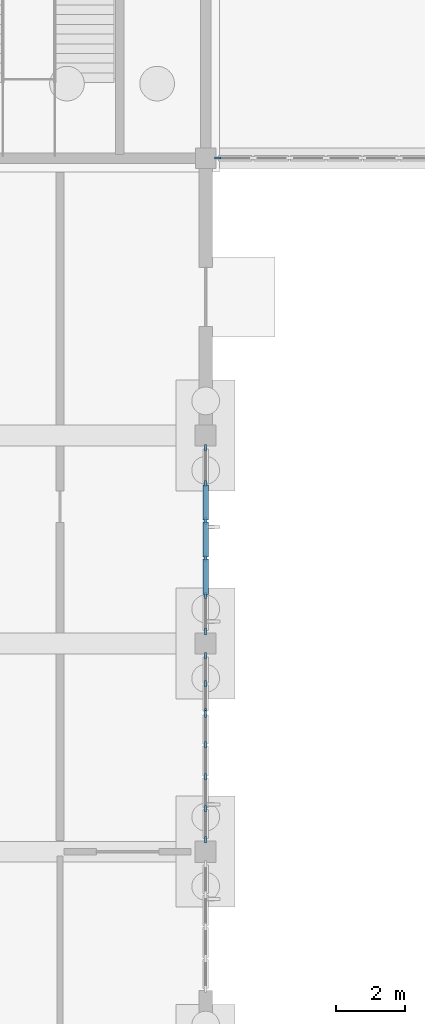
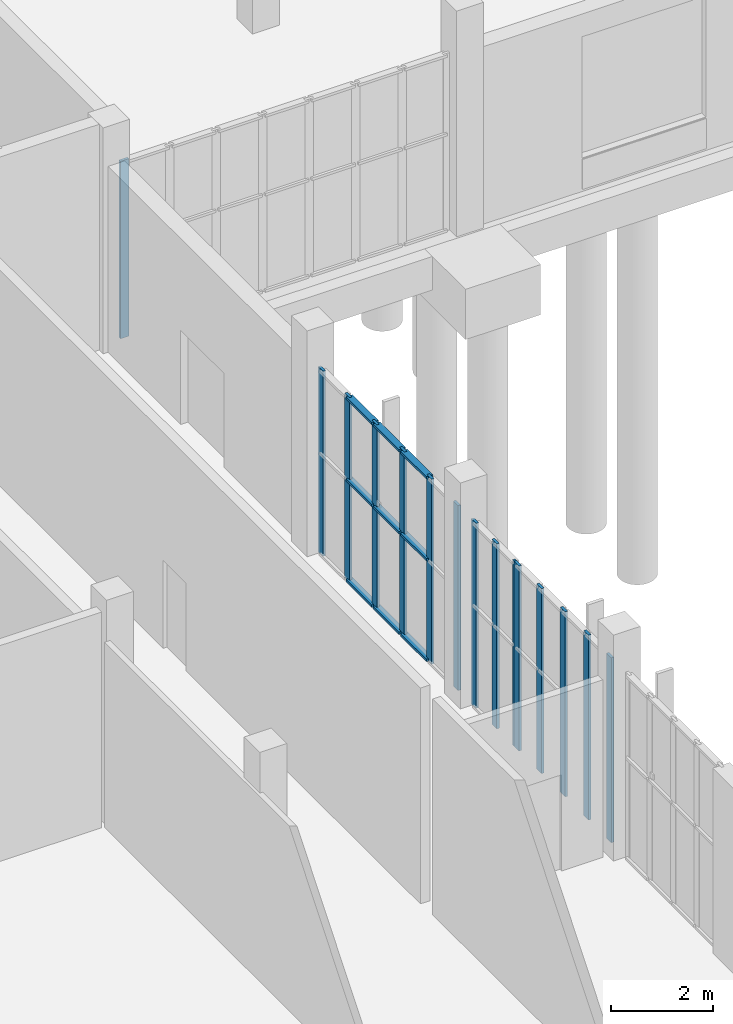
# One storey, part 15 of 69: 24 members, 4 elements without a shape of their own.
"""IFC4 building model written with IfcOpenShell, lengths in metres."""

from ifc_helpers import new_model, si_unit, direction, frame, origin, origin_2d, place, context, subcontext, project, spatial, rectangle, extrude, material, layer, layer_set, material_profile, profile_set, type_object, element, aggregate, save


model = new_model("IFC4")

# Units and contexts
model_context = context("Model", 3, precision=1e-05, world=origin(), true_north=direction((0.0, 1.0)))
body_context = subcontext(model_context, "Body", "Model", "MODEL_VIEW")
ifc_project = project(units=[si_unit("LENGTHUNIT", "METRE"), si_unit("AREAUNIT", "SQUARE_METRE"), si_unit("VOLUMEUNIT", "CUBIC_METRE"), si_unit("PLANEANGLEUNIT", "RADIAN"), si_unit("MASSUNIT", "GRAM", prefix="KILO")], contexts=[model_context])

# Site, building, storey
site_placement = place(None, origin())
site = spatial("IfcSite", under=ifc_project, at=site_placement, CompositionType="ELEMENT")
building_placement = place(site_placement, origin())
building = spatial("IfcBuilding", under=site, at=building_placement, Name="Solvane Community Centre", CompositionType="ELEMENT")
storey_placement = place(building_placement, origin())
storey = spatial("IfcBuildingStorey", under=building, at=storey_placement, Name="L00", CompositionType="ELEMENT", Elevation=0.0)

# Curtain wall, member
ifc_material = material(Name="Anodised bronze aluminium AW-6063 T6", Category="aluminium")
ifc_layer_1 = layer(ifc_material, 0.18994140625)
ifc_layer_set_1 = layer_set([ifc_layer_1], Name="Anodised bronze aluminium AW-6063 T6")
curtain_wall_type_1 = type_object("IfcCurtainWallType", Name="Boulevard Bronze Vision Curtain Wall [74x42dm]", PredefinedType="NOTDEFINED", material=ifc_layer_set_1)
curtain_wall_1_placement = place(storey_placement, origin())
curtain_wall_1 = element("IfcCurtainWall", 1, at=curtain_wall_1_placement, inside=storey, type_object=curtain_wall_type_1, Name="Curtain Wall CW-L00-757_860-014", PredefinedType="NOTDEFINED")
ifc_material_profile_1 = material_profile(ifc_material, rectangle(XDim=0.06005859375, YDim=0.18994140625, at=origin_2d()), Name="CW-M 60x190")
ifc_profile_set_1 = profile_set([ifc_material_profile_1], Name="Anodised bronze aluminium AW-6063 T6")
member_type_1 = type_object("IfcMemberType", Name="Boulevard Mullion 60x190", PredefinedType="MULLION", material=ifc_profile_set_1)
member_1_placement = place(storey_placement, frame((68.344970703125, 86.0, 0.0), z_axis=(0.0, 0.0, 1.0), x_axis=(0.0, -1.0, 0.0)))
member_1 = element("IfcMember", 2, at=member_1_placement, type_object=member_type_1, Name="CW02-74x42 mullion 8", PredefinedType="MULLION", context=body_context, shape_type="SweptSolid", body=[
    extrude(rectangle(XDim=0.06005859375, YDim=0.18994140625, at=origin_2d()), origin(), (0.0, 0.0, 1.0), 4.2451171875),
])
aggregate(curtain_wall_1, [member_1])

# Curtain wall, members
ifc_layer_2 = layer(ifc_material, 0.18994140625)
ifc_layer_set_2 = layer_set([ifc_layer_2], Name="Anodised bronze aluminium AW-6063 T6")
curtain_wall_type_2 = type_object("IfcCurtainWallType", Name="Boulevard Bronze Vision Curtain Wall [54x44dm]", PredefinedType="NOTDEFINED", material=ifc_layer_set_2)
curtain_wall_2_placement = place(storey_placement, origin())
curtain_wall_2 = element("IfcCurtainWall", 3, at=curtain_wall_2_placement, inside=storey, type_object=curtain_wall_type_2, Name="Curtain Wall CW-L00-680_777-015", PredefinedType="NOTDEFINED")
member_2_placement = place(storey_placement, frame((68.0, 77.64990234375, 0.0), z_axis=(0.0, 0.0, 1.0), x_axis=(1.0, 0.0, 0.0)))
member_2 = element("IfcMember", 4, at=member_2_placement, type_object=member_type_1, Name="CW02-54x44 mullion 1", PredefinedType="MULLION", context=body_context, shape_type="SweptSolid", body=[
    extrude(rectangle(XDim=0.06005859375, YDim=0.18994140625, at=origin_2d()), origin(), (0.0, 0.0, 1.0), 4.425048828125),
])
member_3_placement = place(storey_placement, frame((68.0, 76.60791015625, 0.0), z_axis=(0.0, 0.0, 1.0), x_axis=(1.0, 0.0, 0.0)))
member_3 = element("IfcMember", 5, at=member_3_placement, type_object=member_type_1, Name="CW02-54x44 mullion 2", PredefinedType="MULLION", context=body_context, shape_type="SweptSolid", body=[
    extrude(rectangle(XDim=0.06005859375, YDim=0.18994140625, at=origin_2d()), origin(), (0.0, 0.0, 1.0), 4.425048828125),
])
member_4_placement = place(storey_placement, frame((68.0, 75.535888671875, 0.0), z_axis=(0.0, 0.0, 1.0), x_axis=(1.0, 0.0, 0.0)))
member_4 = element("IfcMember", 6, at=member_4_placement, type_object=member_type_1, Name="CW02-54x44 mullion 3", PredefinedType="MULLION", context=body_context, shape_type="SweptSolid", body=[
    extrude(rectangle(XDim=0.06005859375, YDim=0.18994140625, at=origin_2d()), origin(), (0.0, 0.0, 1.0), 4.425048828125),
])
member_5_placement = place(storey_placement, frame((68.0, 74.464111328125, 0.0), z_axis=(0.0, 0.0, 1.0), x_axis=(1.0, 0.0, 0.0)))
member_5 = element("IfcMember", 7, at=member_5_placement, type_object=member_type_1, Name="CW02-54x44 mullion 4", PredefinedType="MULLION", context=body_context, shape_type="SweptSolid", body=[
    extrude(rectangle(XDim=0.06005859375, YDim=0.18994140625, at=origin_2d()), origin(), (0.0, 0.0, 1.0), 4.425048828125),
])
member_6_placement = place(storey_placement, frame((68.0, 73.39208984375, 0.0), z_axis=(0.0, 0.0, 1.0), x_axis=(1.0, 0.0, 0.0)))
member_6 = element("IfcMember", 8, at=member_6_placement, type_object=member_type_1, Name="CW02-54x44 mullion 5", PredefinedType="MULLION", context=body_context, shape_type="SweptSolid", body=[
    extrude(rectangle(XDim=0.06005859375, YDim=0.18994140625, at=origin_2d()), origin(), (0.0, 0.0, 1.0), 4.425048828125),
])
member_7_placement = place(storey_placement, frame((68.0, 72.35009765625, 0.0), z_axis=(0.0, 0.0, 1.0), x_axis=(1.0, 0.0, 0.0)))
member_7 = element("IfcMember", 9, at=member_7_placement, type_object=member_type_1, Name="CW02-54x44 mullion 6", PredefinedType="MULLION", context=body_context, shape_type="SweptSolid", body=[
    extrude(rectangle(XDim=0.06005859375, YDim=0.18994140625, at=origin_2d()), origin(), (0.0, 0.0, 1.0), 4.425048828125),
])

ifc_layer_3 = layer(ifc_material, 0.18994140625)
ifc_layer_set_3 = layer_set([ifc_layer_3], Name="Anodised bronze aluminium AW-6063 T6")
curtain_wall_type_3 = type_object("IfcCurtainWallType", Name="Boulevard Bronze Vision Curtain Wall [17x44dm]", PredefinedType="NOTDEFINED", material=ifc_layer_set_3)
curtain_wall_3_placement = place(storey_placement, origin())
curtain_wall_3 = element("IfcCurtainWall", 10, at=curtain_wall_3_placement, inside=storey, type_object=curtain_wall_type_3, Name="Curtain Wall CW-L00-680_717-016", PredefinedType="NOTDEFINED")
member_8_placement = place(storey_placement, frame((68.0, 71.64990234375, 0.0), z_axis=(0.0, 0.0, 1.0), x_axis=(1.0, 0.0, 0.0)))
member_8 = element("IfcMember", 11, at=member_8_placement, type_object=member_type_1, Name="CW02-17x44 mullion 1", PredefinedType="MULLION", context=body_context, shape_type="SweptSolid", body=[
    extrude(rectangle(XDim=0.06005859375, YDim=0.18994140625, at=origin_2d()), origin(), (0.0, 0.0, 1.0), 4.425048828125),
])
member_9_placement = place(storey_placement, frame((68.0, 70.840087890625, 0.0), z_axis=(0.0, 0.0, 1.0), x_axis=(1.0, 0.0, 0.0)))
member_9 = element("IfcMember", 12, at=member_9_placement, type_object=member_type_1, Name="CW02-17x44 mullion 2", PredefinedType="MULLION", context=body_context, shape_type="SweptSolid", body=[
    extrude(rectangle(XDim=0.06005859375, YDim=0.18994140625, at=origin_2d()), origin(), (0.0, 0.0, 1.0), 4.425048828125),
])
member_10_placement = place(storey_placement, frame((68.0, 70.030029296875, 0.0), z_axis=(0.0, 0.0, 1.0), x_axis=(1.0, 0.0, 0.0)))
member_10 = element("IfcMember", 13, at=member_10_placement, type_object=member_type_1, Name="CW02-17x44 mullion 3", PredefinedType="MULLION", context=body_context, shape_type="SweptSolid", body=[
    extrude(rectangle(XDim=0.06005859375, YDim=0.18994140625, at=origin_2d()), origin(), (0.0, 0.0, 1.0), 4.425048828125),
])
aggregate(curtain_wall_3, [member_8, member_9, member_10])

ifc_layer_4 = layer(ifc_material, 0.18994140625)
ifc_layer_set_4 = layer_set([ifc_layer_4], Name="Anodised bronze aluminium AW-6063 T6")
curtain_wall_type_4 = type_object("IfcCurtainWallType", Name="Boulevard Bronze Vision Curtain Wall [37x44dm]", PredefinedType="NOTDEFINED", material=ifc_layer_set_4)
curtain_wall_4_placement = place(storey_placement, origin())
curtain_wall_4 = element("IfcCurtainWall", 14, at=curtain_wall_4_placement, inside=storey, type_object=curtain_wall_type_4, Name="Curtain Wall CW-L00-680_700-017", PredefinedType="NOTDEFINED")
member_11_placement = place(storey_placement, frame((68.0, 69.969970703125, 0.0), z_axis=(0.0, 0.0, 1.0), x_axis=(1.0, 0.0, 0.0)))
member_11 = element("IfcMember", 15, at=member_11_placement, type_object=member_type_1, Name="CW02-37x44 mullion 1", PredefinedType="MULLION", context=body_context, shape_type="SweptSolid", body=[
    extrude(rectangle(XDim=0.06005859375, YDim=0.18994140625, at=origin_2d()), origin(), (0.0, 0.0, 1.0), 4.425048828125),
])
member_12_placement = place(storey_placement, frame((68.0, 69.080078125, 0.0), z_axis=(0.0, 0.0, 1.0), x_axis=(1.0, 0.0, 0.0)))
member_12 = element("IfcMember", 16, at=member_12_placement, type_object=member_type_1, Name="CW02-37x44 mullion 2", PredefinedType="MULLION", context=body_context, shape_type="SweptSolid", body=[
    extrude(rectangle(XDim=0.06005859375, YDim=0.18994140625, at=origin_2d()), origin(), (0.0, 0.0, 1.0), 4.425048828125),
])
member_13_placement = place(storey_placement, frame((68.0, 68.159912109375, 0.0), z_axis=(0.0, 0.0, 1.0), x_axis=(1.0, 0.0, 0.0)))
member_13 = element("IfcMember", 17, at=member_13_placement, type_object=member_type_1, Name="CW02-37x44 mullion 3", PredefinedType="MULLION", context=body_context, shape_type="SweptSolid", body=[
    extrude(rectangle(XDim=0.06005859375, YDim=0.18994140625, at=origin_2d()), origin(), (0.0, 0.0, 1.0), 4.425048828125),
])
member_14_placement = place(storey_placement, frame((68.0, 67.239990234375, 0.0), z_axis=(0.0, 0.0, 1.0), x_axis=(1.0, 0.0, 0.0)))
member_14 = element("IfcMember", 18, at=member_14_placement, type_object=member_type_1, Name="CW02-37x44 mullion 4", PredefinedType="MULLION", context=body_context, shape_type="SweptSolid", body=[
    extrude(rectangle(XDim=0.06005859375, YDim=0.18994140625, at=origin_2d()), origin(), (0.0, 0.0, 1.0), 4.425048828125),
])
member_15_placement = place(storey_placement, frame((68.0, 66.35009765625, 0.0), z_axis=(0.0, 0.0, 1.0), x_axis=(1.0, 0.0, 0.0)))
member_15 = element("IfcMember", 19, at=member_15_placement, type_object=member_type_1, Name="CW02-37x44 mullion 5", PredefinedType="MULLION", context=body_context, shape_type="SweptSolid", body=[
    extrude(rectangle(XDim=0.06005859375, YDim=0.18994140625, at=origin_2d()), origin(), (0.0, 0.0, 1.0), 4.425048828125),
])
aggregate(curtain_wall_4, [member_11, member_12, member_13, member_14, member_15])

# Member
ifc_material_profile_2 = material_profile(ifc_material, rectangle(XDim=0.14990234375, YDim=0.06005859375, at=origin_2d()), Name="CW-T 60x150")
ifc_profile_set_2 = profile_set([ifc_material_profile_2], Name="Anodised bronze aluminium AW-6063 T6")
member_type_2 = type_object("IfcMemberType", Name="Boulevard Transom 60x150", PredefinedType="USERDEFINED", material=ifc_profile_set_2)
member_16_placement = place(storey_placement, frame((68.0, 76.577880859375, 0.030029296875), z_axis=(0.0, -1.0, 0.0), x_axis=(1.0, 0.0, 0.0)))
member_16 = element("IfcMember", 20, at=member_16_placement, type_object=member_type_2, Name="CW02-54x44 transom 2.1", ObjectType="TRANSOM", PredefinedType="USERDEFINED", context=body_context, shape_type="SweptSolid", body=[
    extrude(rectangle(XDim=0.14990234375, YDim=0.06005859375, at=origin_2d()), origin(), (0.0, 0.0, 1.0), 1.011962890625),
])

member_17_placement = place(storey_placement, frame((68.0, 76.577880859375, 2.43408203125), z_axis=(0.0, -1.0, 0.0), x_axis=(1.0, 0.0, 0.0)))
member_17 = element("IfcMember", 21, at=member_17_placement, type_object=member_type_2, Name="CW02-54x44 transom 2.2", ObjectType="TRANSOM", PredefinedType="USERDEFINED", context=body_context, shape_type="SweptSolid", body=[
    extrude(rectangle(XDim=0.14990234375, YDim=0.06005859375, at=origin_2d()), origin(), (0.0, 0.0, 1.0), 1.011962890625),
])

member_18_placement = place(storey_placement, frame((68.0, 76.577880859375, 4.39501953125), z_axis=(0.0, -1.0, 0.0), x_axis=(1.0, 0.0, 0.0)))
member_18 = element("IfcMember", 22, at=member_18_placement, type_object=member_type_2, Name="CW02-54x44 transom 2.3", ObjectType="TRANSOM", PredefinedType="USERDEFINED", context=body_context, shape_type="SweptSolid", body=[
    extrude(rectangle(XDim=0.14990234375, YDim=0.06005859375, at=origin_2d()), origin(), (0.0, 0.0, 1.0), 1.011962890625),
])

member_19_placement = place(storey_placement, frame((68.0, 75.506103515625, 0.030029296875), z_axis=(0.0, -1.0, 0.0), x_axis=(1.0, 0.0, 0.0)))
member_19 = element("IfcMember", 23, at=member_19_placement, type_object=member_type_2, Name="CW02-54x44 transom 3.1", ObjectType="TRANSOM", PredefinedType="USERDEFINED", context=body_context, shape_type="SweptSolid", body=[
    extrude(rectangle(XDim=0.14990234375, YDim=0.06005859375, at=origin_2d()), origin(), (0.0, 0.0, 1.0), 1.01220703125),
])

member_20_placement = place(storey_placement, frame((68.0, 75.506103515625, 2.43408203125), z_axis=(0.0, -1.0, 0.0), x_axis=(1.0, 0.0, 0.0)))
member_20 = element("IfcMember", 24, at=member_20_placement, type_object=member_type_2, Name="CW02-54x44 transom 3.2", ObjectType="TRANSOM", PredefinedType="USERDEFINED", context=body_context, shape_type="SweptSolid", body=[
    extrude(rectangle(XDim=0.14990234375, YDim=0.06005859375, at=origin_2d()), origin(), (0.0, 0.0, 1.0), 1.01220703125),
])

member_21_placement = place(storey_placement, frame((68.0, 75.506103515625, 4.39501953125), z_axis=(0.0, -1.0, 0.0), x_axis=(1.0, 0.0, 0.0)))
member_21 = element("IfcMember", 25, at=member_21_placement, type_object=member_type_2, Name="CW02-54x44 transom 3.3", ObjectType="TRANSOM", PredefinedType="USERDEFINED", context=body_context, shape_type="SweptSolid", body=[
    extrude(rectangle(XDim=0.14990234375, YDim=0.06005859375, at=origin_2d()), origin(), (0.0, 0.0, 1.0), 1.01220703125),
])

member_22_placement = place(storey_placement, frame((68.0, 74.43408203125, 0.030029296875), z_axis=(0.0, -1.0, 0.0), x_axis=(1.0, 0.0, 0.0)))
member_22 = element("IfcMember", 26, at=member_22_placement, type_object=member_type_2, Name="CW02-54x44 transom 4.1", ObjectType="TRANSOM", PredefinedType="USERDEFINED", context=body_context, shape_type="SweptSolid", body=[
    extrude(rectangle(XDim=0.14990234375, YDim=0.06005859375, at=origin_2d()), origin(), (0.0, 0.0, 1.0), 1.011962890625),
])

member_23_placement = place(storey_placement, frame((68.0, 74.43408203125, 2.43408203125), z_axis=(0.0, -1.0, 0.0), x_axis=(1.0, 0.0, 0.0)))
member_23 = element("IfcMember", 27, at=member_23_placement, type_object=member_type_2, Name="CW02-54x44 transom 4.2", ObjectType="TRANSOM", PredefinedType="USERDEFINED", context=body_context, shape_type="SweptSolid", body=[
    extrude(rectangle(XDim=0.14990234375, YDim=0.06005859375, at=origin_2d()), origin(), (0.0, 0.0, 1.0), 1.011962890625),
])

member_24_placement = place(storey_placement, frame((68.0, 74.43408203125, 4.39501953125), z_axis=(0.0, -1.0, 0.0), x_axis=(1.0, 0.0, 0.0)))
member_24 = element("IfcMember", 28, at=member_24_placement, type_object=member_type_2, Name="CW02-54x44 transom 4.3", ObjectType="TRANSOM", PredefinedType="USERDEFINED", context=body_context, shape_type="SweptSolid", body=[
    extrude(rectangle(XDim=0.14990234375, YDim=0.06005859375, at=origin_2d()), origin(), (0.0, 0.0, 1.0), 1.011962890625),
])

aggregate(curtain_wall_2, [member_2, member_3, member_4, member_5, member_6, member_7, member_16, member_17, member_18, member_19, member_20, member_21, member_22, member_23, member_24])

save(model, "model.ifc")
